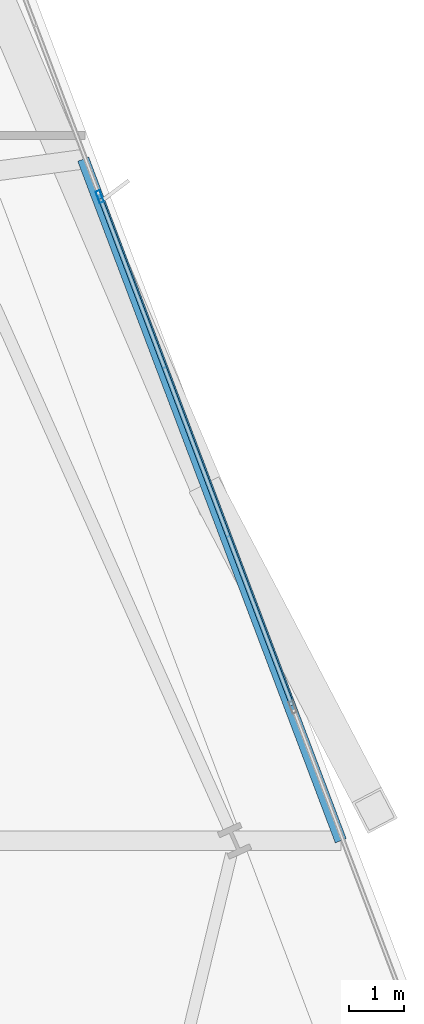
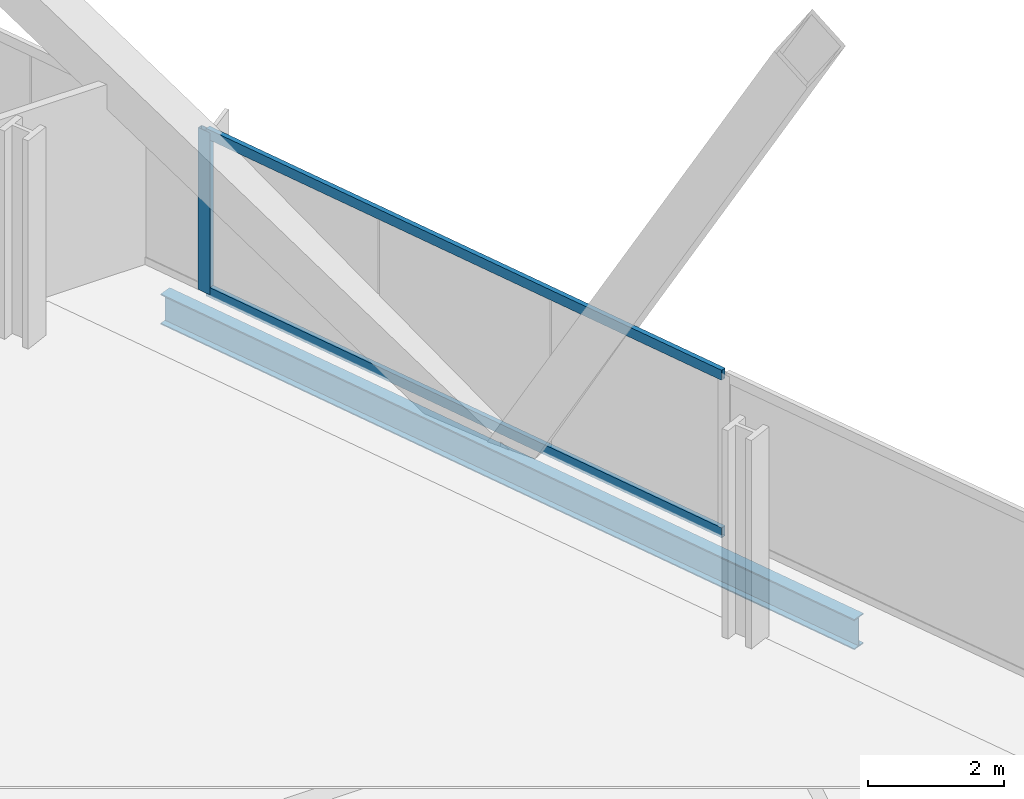
# One storey, part 24 of 37: 3 members, 1 beam, 1 element without a shape of its own.
"""IFC4 building model written with IfcOpenShell, lengths in metres."""

from ifc_helpers import new_model, si_unit, direction, frame, origin, origin_2d, place, context, subcontext, project, spatial, hollow_rectangle, i_section, extrude, material, material_profile, profile_set, type_object, element, aggregate, save


model = new_model("IFC4")

# Units and contexts
model_context = context("Model", 3, precision=1e-05, world=origin(), true_north=direction((0.0, 1.0)))
body_context = subcontext(model_context, "Body", "Model", "MODEL_VIEW")
ifc_project = project(units=[si_unit("LENGTHUNIT", "METRE"), si_unit("AREAUNIT", "SQUARE_METRE"), si_unit("VOLUMEUNIT", "CUBIC_METRE"), si_unit("PLANEANGLEUNIT", "RADIAN"), si_unit("MASSUNIT", "GRAM", prefix="KILO")], contexts=[model_context])

# Site, building, storey
site_placement = place(None, origin())
site = spatial("IfcSite", under=ifc_project, at=site_placement, CompositionType="ELEMENT")
building_placement = place(site_placement, origin())
building = spatial("IfcBuilding", under=site, at=building_placement, Name="Haldenkirk Collegiate Tower", CompositionType="ELEMENT")
storey_placement = place(building_placement, frame((0.0, 0.0, 97.949951171875)))
storey = spatial("IfcBuildingStorey", under=building, at=storey_placement, Name="L23", CompositionType="ELEMENT", Elevation=97.949951171875)

# Beam
ifc_material_1 = material(Name="Steel ASTM A992 Grade 50", Category="steel")
ifc_material_profile_1 = material_profile(ifc_material_1, i_section(OverallWidth=0.2119140625, OverallDepth=0.5439453125, WebThickness=0.01318359375, FlangeThickness=0.021240234375, at=origin_2d()), Name="W21X83")
ifc_profile_set_1 = profile_set([ifc_material_profile_1], Name="Steel ASTM A992 Grade 50")
beam_type = type_object("IfcBeamType", Name="BM-SPANDREL-W21X83", PredefinedType="SPANDREL", material=ifc_profile_set_1)
beam_placement = place(storey_placement, frame((64.52490234375, 23.727294921875, -0.572021484375), z_axis=(-0.353489416307, 0.935438524201, 0.0), x_axis=(-0.935438524201, -0.353489416307, 0.0)))
element("IfcBeam", 1, at=beam_placement, inside=storey, type_object=beam_type, Name="L23 outer facade edge beam 2", PredefinedType="SPANDREL", context=body_context, shape_type="SweptSolid", body=[
    extrude(i_section(OverallWidth=0.2119140625, OverallDepth=0.5439453125, WebThickness=0.01318359375, FlangeThickness=0.021240234375, at=origin_2d()), origin(), (0.0, 0.0, 1.0), 13.145263671875),
])

# Curtain wall, members
ifc_material_2 = material(Name="Anodised architectural bronze aluminium", Category="aluminium")
curtain_wall_type = type_object("IfcCurtainWallType", Name="CW-SYS1-CONVEX-LOW", PredefinedType="USERDEFINED", material=ifc_material_2)
curtain_wall_placement = place(storey_placement, origin())
curtain_wall = element("IfcCurtainWall", 2, at=curtain_wall_placement, inside=storey, type_object=curtain_wall_type, Name="L23 Lower tower convex bronze-framed unitised curtain wall", ObjectType="UNITISED CURTAIN WALL", PredefinedType="USERDEFINED")
ifc_material_profile_2 = material_profile(ifc_material_2, hollow_rectangle(XDim=0.080078125, YDim=0.219970703125, WallThickness=0.0048828125, at=origin_2d()), Name="CW-MUL-1A")
ifc_profile_set_2 = profile_set([ifc_material_profile_2], Name="Anodised architectural bronze aluminium")
member_type_1 = type_object("IfcMemberType", Name="CW-MUL-1A", PredefinedType="MULLION", material=ifc_profile_set_2)
member_1_placement = place(storey_placement, frame((60.176025390625, 35.34912109375, 0.0), z_axis=(0.0, 0.0, 1.0), x_axis=(0.93544328227, 0.35347682478, 0.0)))
member_1 = element("IfcMember", 3, at=member_1_placement, type_object=member_type_1, Name="CW-1A mullion 3", PredefinedType="MULLION", context=body_context, shape_type="SweptSolid", body=[
    extrude(hollow_rectangle(XDim=0.080078125, YDim=0.219970703125, WallThickness=0.0048828125, at=origin_2d()), origin(), (0.0, 0.0, 1.0), 2.901123046875),
])
ifc_material_profile_3 = material_profile(ifc_material_2, hollow_rectangle(XDim=0.080078125, YDim=0.179931640625, WallThickness=0.0048828125, at=origin_2d()), Name="CW-TRN-1A")
ifc_profile_set_3 = profile_set([ifc_material_profile_3], Name="Anodised architectural bronze aluminium")
member_type_2 = type_object("IfcMemberType", Name="CW-TRN-1A", PredefinedType="USERDEFINED", material=ifc_profile_set_3)
member_2_placement = place(storey_placement, frame((60.190185546875, 35.311767578125, 0.0400390625), z_axis=(0.353463741339, -0.935448226017, 0.0), x_axis=(0.935448226017, 0.353463741339, 0.0)))
member_2 = element("IfcMember", 4, at=member_2_placement, type_object=member_type_2, Name="CW-1A transom 3.1", ObjectType="TRANSOM", PredefinedType="USERDEFINED", context=body_context, shape_type="SweptSolid", body=[
    extrude(hollow_rectangle(XDim=0.080078125, YDim=0.179931640625, WallThickness=0.0048828125, at=origin_2d()), origin(), (0.0, 0.0, 1.0), 9.77001953125),
])
member_3_placement = place(storey_placement, frame((60.190185546875, 35.311767578125, 2.861083984375), z_axis=(0.353463741339, -0.935448226017, 0.0), x_axis=(0.935448226017, 0.353463741339, 0.0)))
member_3 = element("IfcMember", 5, at=member_3_placement, type_object=member_type_2, Name="CW-1A transom 3.2", ObjectType="TRANSOM", PredefinedType="USERDEFINED", context=body_context, shape_type="SweptSolid", body=[
    extrude(hollow_rectangle(XDim=0.080078125, YDim=0.179931640625, WallThickness=0.0048828125, at=origin_2d()), origin(), (0.0, 0.0, 1.0), 9.77001953125),
])
aggregate(curtain_wall, [member_1, member_2, member_3])

save(model, "model.ifc")
